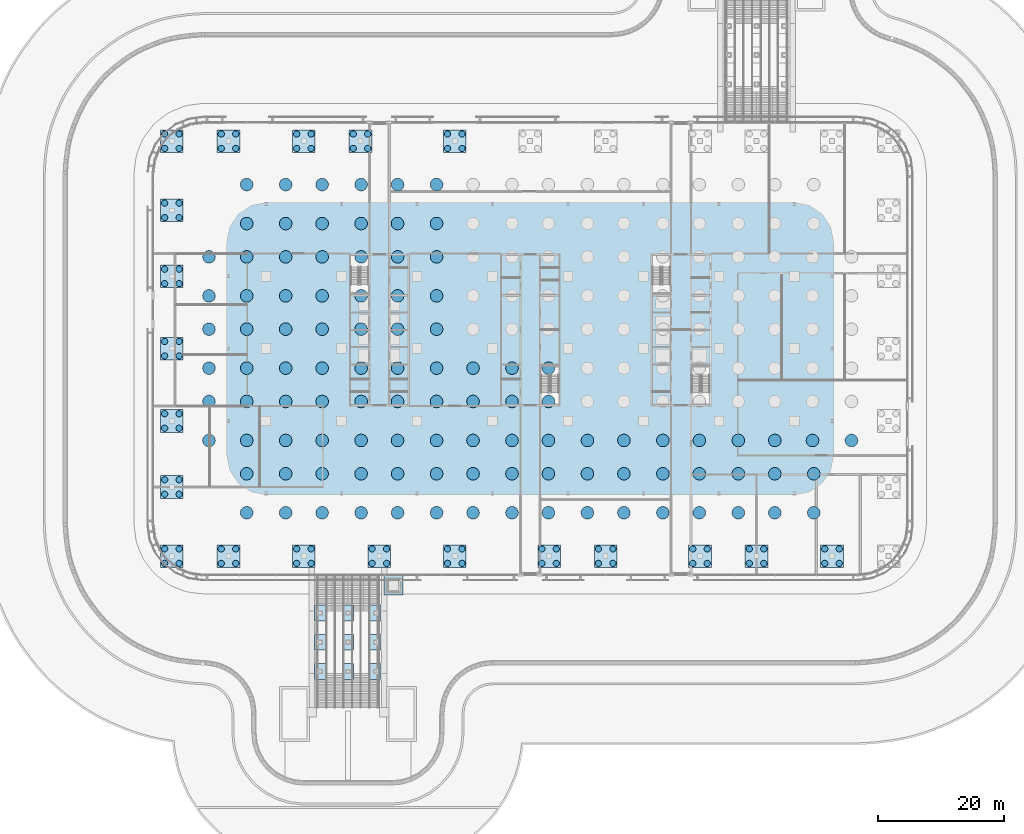
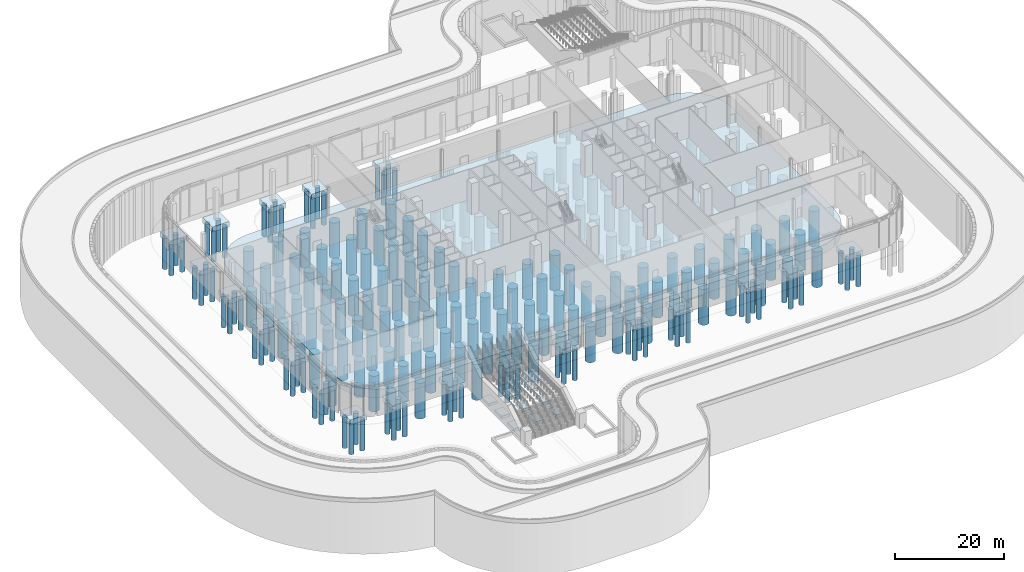
# One storey, part 1 of 48: 183 piles, 31 footings.
"""IFC4 building model written with IfcOpenShell, lengths in metres."""

from ifc_helpers import new_model, si_unit, direction, frame, origin, origin_2d, place, context, subcontext, project, spatial, polyline, rectangle, circle, outline, extrude, material, layer, layer_set, material_profile, profile_set, type_object, element, save


model = new_model("IFC4")

# Units and contexts
model_context = context("Model", 3, precision=1e-05, world=origin(), true_north=direction((0.0, 1.0)))
body_context = subcontext(model_context, "Body", "Model", "MODEL_VIEW")
ifc_project = project(units=[si_unit("LENGTHUNIT", "METRE"), si_unit("AREAUNIT", "SQUARE_METRE"), si_unit("VOLUMEUNIT", "CUBIC_METRE"), si_unit("PLANEANGLEUNIT", "RADIAN"), si_unit("MASSUNIT", "GRAM", prefix="KILO")], contexts=[model_context])

# Site, building, storey
site_placement = place(None, origin())
site = spatial("IfcSite", under=ifc_project, at=site_placement, CompositionType="ELEMENT")
building_placement = place(site_placement, origin())
building = spatial("IfcBuilding", under=site, at=building_placement, Name="Mahtab Terrace Research Tower", CompositionType="ELEMENT")
storey_placement = place(building_placement, origin())
storey = spatial("IfcBuildingStorey", under=building, at=storey_placement, Name="G", CompositionType="ELEMENT", Elevation=0.0)

# Piles
ifc_material = material(Name="Concrete C40/50", Category="concrete")
ifc_material_profile_1 = material_profile(ifc_material, circle(Radius=0.5, at=origin_2d()), Name="Bored pile D1000")
ifc_profile_set_1 = profile_set([ifc_material_profile_1], Name="Concrete C40/50")
pile_type_1 = type_object("IfcPileType", Name="Bored pile D1000", PredefinedType="BORED", material=ifc_profile_set_1)
for number, where, z_axis, x_axis, name in (
    (1, (-58.14990234375, -34.14990234375, -1.25), (0.0, 0.0, -1.0), (1.0, 0.0, 0.0), "Bored pile PC-01-1"),
    (2, (-58.14990234375, -31.85009765625, -1.25), (0.0, 0.0, -1.0), (1.0, 0.0, 0.0), "Bored pile PC-01-2"),
    (3, (-55.85009765625, -34.14990234375, -1.25), (0.0, 0.0, -1.0), (1.0, 0.0, 0.0), "Bored pile PC-01-3"),
    (4, (-55.85009765625, -31.85009765625, -1.25), (0.0, 0.0, -1.0), (1.0, 0.0, 0.0), "Bored pile PC-01-4"),
    (5, (-49.14990234375, -34.14990234375, -1.25), (0.0, 0.0, -1.0), (1.0, 0.0, 0.0), "Bored pile PC-02-1"),
    (6, (-49.14990234375, -31.85009765625, -1.25), (0.0, 0.0, -1.0), (1.0, 0.0, 0.0), "Bored pile PC-02-2"),
    (7, (-46.85009765625, -34.14990234375, -1.25), (0.0, 0.0, -1.0), (1.0, 0.0, 0.0), "Bored pile PC-02-3"),
    (8, (-46.85009765625, -31.85009765625, -1.25), (0.0, 0.0, -1.0), (1.0, 0.0, 0.0), "Bored pile PC-02-4"),
    (9, (-37.14990234375, -34.14990234375, -1.25), (0.0, 0.0, -1.0), (1.0, 0.0, 0.0), "Bored pile PC-03-1"),
    (10, (-37.14990234375, -31.85009765625, -1.25), (0.0, 0.0, -1.0), (1.0, 0.0, 0.0), "Bored pile PC-03-2"),
    (11, (-34.85009765625, -34.14990234375, -1.25), (0.0, 0.0, -1.0), (1.0, 0.0, 0.0), "Bored pile PC-03-3"),
    (12, (-34.85009765625, -31.85009765625, -1.25), (0.0, 0.0, -1.0), (1.0, 0.0, 0.0), "Bored pile PC-03-4"),
    (13, (-25.14990234375, -34.14990234375, -1.25), (0.0, 0.0, -1.0), (1.0, 0.0, 0.0), "Bored pile PC-04-1"),
    (14, (-25.14990234375, -31.85009765625, -1.25), (0.0, 0.0, -1.0), (1.0, 0.0, 0.0), "Bored pile PC-04-2"),
    (15, (-22.85009765625, -34.14990234375, -1.25), (0.0, 0.0, -1.0), (1.0, 0.0, 0.0), "Bored pile PC-04-3"),
    (16, (-22.85009765625, -31.85009765625, -1.25), (0.0, 0.0, -1.0), (1.0, 0.0, 0.0), "Bored pile PC-04-4"),
    (17, (-13.14990234375, -34.14990234375, -1.25), (0.0, 0.0, -1.0), (1.0, 0.0, 0.0), "Bored pile PC-05-1"),
    (18, (-13.14990234375, -31.85009765625, -1.25), (0.0, 0.0, -1.0), (1.0, 0.0, 0.0), "Bored pile PC-05-2"),
    (19, (-10.85009765625, -34.14990234375, -1.25), (0.0, 0.0, -1.0), (1.0, 0.0, 0.0), "Bored pile PC-05-3"),
    (20, (-10.85009765625, -31.85009765625, -1.25), (0.0, 0.0, -1.0), (1.0, 0.0, 0.0), "Bored pile PC-05-4"),
    (21, (1.85009765625, -34.14990234375, -1.25), (0.0, 0.0, -1.0), (1.0, 0.0, 0.0), "Bored pile PC-06-1"),
    (22, (1.85009765625, -31.85009765625, -1.25), (0.0, 0.0, -1.0), (1.0, 0.0, 0.0), "Bored pile PC-06-2"),
    (23, (4.14990234375, -34.14990234375, -1.25), (0.0, 0.0, -1.0), (1.0, 0.0, 0.0), "Bored pile PC-06-3"),
    (24, (4.14990234375, -31.85009765625, -1.25), (0.0, 0.0, -1.0), (1.0, 0.0, 0.0), "Bored pile PC-06-4"),
    (25, (10.85009765625, -34.14990234375, -1.25), (0.0, 0.0, -1.0), (1.0, 0.0, 0.0), "Bored pile PC-07-1"),
    (26, (10.85009765625, -31.85009765625, -1.25), (0.0, 0.0, -1.0), (1.0, 0.0, 0.0), "Bored pile PC-07-2"),
    (27, (13.14990234375, -34.14990234375, -1.25), (0.0, 0.0, -1.0), (1.0, 0.0, 0.0), "Bored pile PC-07-3"),
    (28, (13.14990234375, -31.85009765625, -1.25), (0.0, 0.0, -1.0), (1.0, 0.0, 0.0), "Bored pile PC-07-4"),
    (29, (25.85009765625, -34.14990234375, -1.25), (0.0, 0.0, -1.0), (1.0, 0.0, 0.0), "Bored pile PC-08-1"),
    (30, (25.85009765625, -31.85009765625, -1.25), (0.0, 0.0, -1.0), (1.0, 0.0, 0.0), "Bored pile PC-08-2"),
    (31, (28.14990234375, -34.14990234375, -1.25), (0.0, 0.0, -1.0), (1.0, 0.0, 0.0), "Bored pile PC-08-3"),
    (32, (28.14990234375, -31.85009765625, -1.25), (0.0, 0.0, -1.0), (1.0, 0.0, 0.0), "Bored pile PC-08-4"),
    (33, (34.85009765625, -34.14990234375, -1.25), (0.0, 0.0, -1.0), (1.0, 0.0, 0.0), "Bored pile PC-09-1"),
    (34, (34.85009765625, -31.85009765625, -1.25), (0.0, 0.0, -1.0), (1.0, 0.0, 0.0), "Bored pile PC-09-2"),
    (35, (37.14990234375, -34.14990234375, -1.25), (0.0, 0.0, -1.0), (1.0, 0.0, 0.0), "Bored pile PC-09-3"),
    (36, (37.14990234375, -31.85009765625, -1.25), (0.0, 0.0, -1.0), (1.0, 0.0, 0.0), "Bored pile PC-09-4"),
    (37, (46.85009765625, -34.14990234375, -1.25), (0.0, 0.0, -1.0), (1.0, 0.0, 0.0), "Bored pile PC-10-1"),
    (38, (46.85009765625, -31.85009765625, -1.25), (0.0, 0.0, -1.0), (1.0, 0.0, 0.0), "Bored pile PC-10-2"),
    (39, (49.14990234375, -34.14990234375, -1.25), (0.0, 0.0, -1.0), (1.0, 0.0, 0.0), "Bored pile PC-10-3"),
    (40, (49.14990234375, -31.85009765625, -1.25), (0.0, 0.0, -1.0), (1.0, 0.0, 0.0), "Bored pile PC-10-4"),
    (41, (-58.14990234375, 31.85009765625, -1.25), (0.0, 0.0, -1.0), (1.0, 0.0, 0.0), "Bored pile PC-12-1"),
    (42, (-58.14990234375, 34.14990234375, -1.25), (0.0, 0.0, -1.0), (1.0, 0.0, 0.0), "Bored pile PC-12-2"),
    (43, (-55.85009765625, 31.85009765625, -1.25), (0.0, 0.0, -1.0), (1.0, 0.0, 0.0), "Bored pile PC-12-3"),
    (44, (-55.85009765625, 34.14990234375, -1.25), (0.0, 0.0, -1.0), (1.0, 0.0, 0.0), "Bored pile PC-12-4"),
    (45, (-49.14990234375, 31.85009765625, -1.25), (0.0, 0.0, -1.0), (1.0, 0.0, 0.0), "Bored pile PC-13-1"),
    (46, (-49.14990234375, 34.14990234375, -1.25), (0.0, 0.0, -1.0), (1.0, 0.0, 0.0), "Bored pile PC-13-2"),
    (47, (-46.85009765625, 31.85009765625, -1.25), (0.0, 0.0, -1.0), (1.0, 0.0, 0.0), "Bored pile PC-13-3"),
    (48, (-46.85009765625, 34.14990234375, -1.25), (0.0, 0.0, -1.0), (1.0, 0.0, 0.0), "Bored pile PC-13-4"),
    (49, (-37.14990234375, 31.85009765625, -1.25), (0.0, 0.0, -1.0), (1.0, 0.0, 0.0), "Bored pile PC-14-1"),
    (50, (-37.14990234375, 34.14990234375, -1.25), (0.0, 0.0, -1.0), (1.0, 0.0, 0.0), "Bored pile PC-14-2"),
    (51, (-34.85009765625, 31.85009765625, -1.25), (0.0, 0.0, -1.0), (1.0, 0.0, 0.0), "Bored pile PC-14-3"),
    (52, (-34.85009765625, 34.14990234375, -1.25), (0.0, 0.0, -1.0), (1.0, 0.0, 0.0), "Bored pile PC-14-4"),
    (53, (-28.14990234375, 31.85009765625, -1.25), (0.0, 0.0, -1.0), (1.0, 0.0, 0.0), "Bored pile PC-15-1"),
    (54, (-28.14990234375, 34.14990234375, -1.25), (0.0, 0.0, -1.0), (1.0, 0.0, 0.0), "Bored pile PC-15-2"),
    (55, (-25.85009765625, 31.85009765625, -1.25), (0.0, 0.0, -1.0), (1.0, 0.0, 0.0), "Bored pile PC-15-3"),
    (56, (-25.85009765625, 34.14990234375, -1.25), (0.0, 0.0, -1.0), (1.0, 0.0, 0.0), "Bored pile PC-15-4"),
    (57, (-13.14990234375, 31.85009765625, -1.25), (0.0, 0.0, -1.0), (1.0, 0.0, 0.0), "Bored pile PC-16-1"),
    (58, (-13.14990234375, 34.14990234375, -1.25), (0.0, 0.0, -1.0), (1.0, 0.0, 0.0), "Bored pile PC-16-2"),
    (59, (-10.85009765625, 31.85009765625, -1.25), (0.0, 0.0, -1.0), (1.0, 0.0, 0.0), "Bored pile PC-16-3"),
    (60, (-10.85009765625, 34.14990234375, -1.25), (0.0, 0.0, -1.0), (1.0, 0.0, 0.0), "Bored pile PC-16-4"),
    (61, (-58.14990234375, -23.14990234375, -1.25), (0.0, 0.0, -1.0), (1.0, 0.0, 0.0), "Bored pile PC-23-1"),
    (62, (-58.14990234375, -20.85009765625, -1.25), (0.0, 0.0, -1.0), (1.0, 0.0, 0.0), "Bored pile PC-23-2"),
    (63, (-55.85009765625, -23.14990234375, -1.25), (0.0, 0.0, -1.0), (1.0, 0.0, 0.0), "Bored pile PC-23-3"),
    (64, (-55.85009765625, -20.85009765625, -1.25), (0.0, 0.0, -1.0), (1.0, 0.0, 0.0), "Bored pile PC-23-4"),
    (65, (-58.14990234375, -12.64990234375, -1.25), (0.0, 0.0, -1.0), (1.0, 0.0, 0.0), "Bored pile PC-24-1"),
    (66, (-58.14990234375, -10.35009765625, -1.25), (0.0, 0.0, -1.0), (1.0, 0.0, 0.0), "Bored pile PC-24-2"),
    (67, (-55.85009765625, -12.64990234375, -1.25), (0.0, 0.0, -1.0), (1.0, 0.0, 0.0), "Bored pile PC-24-3"),
    (68, (-55.85009765625, -10.35009765625, -1.25), (0.0, 0.0, -1.0), (1.0, 0.0, 0.0), "Bored pile PC-24-4"),
    (69, (-58.14990234375, -1.14990234375, -1.25), (0.0, 0.0, -1.0), (1.0, 0.0, 0.0), "Bored pile PC-25-1"),
    (70, (-58.14990234375, 1.14990234375, -1.25), (0.0, 0.0, -1.0), (1.0, 0.0, 0.0), "Bored pile PC-25-2"),
    (71, (-55.85009765625, -1.14990234375, -1.25), (0.0, 0.0, -1.0), (1.0, 0.0, 0.0), "Bored pile PC-25-3"),
    (72, (-55.85009765625, 1.14990234375, -1.25), (0.0, 0.0, -1.0), (1.0, 0.0, 0.0), "Bored pile PC-25-4"),
    (73, (-58.14990234375, 10.35009765625, -1.25), (0.0, 0.0, -1.0), (1.0, 0.0, 0.0), "Bored pile PC-26-1"),
    (74, (-58.14990234375, 12.64990234375, -1.25), (0.0, 0.0, -1.0), (1.0, 0.0, 0.0), "Bored pile PC-26-2"),
    (75, (-55.85009765625, 10.35009765625, -1.25), (0.0, 0.0, -1.0), (1.0, 0.0, 0.0), "Bored pile PC-26-3"),
    (76, (-55.85009765625, 12.64990234375, -1.25), (0.0, 0.0, -1.0), (1.0, 0.0, 0.0), "Bored pile PC-26-4"),
    (77, (-58.14990234375, 20.85009765625, -1.25), (0.0, 0.0, -1.0), (1.0, 0.0, 0.0), "Bored pile PC-27-1"),
    (78, (-58.14990234375, 23.14990234375, -1.25), (0.0, 0.0, -1.0), (1.0, 0.0, 0.0), "Bored pile PC-27-2"),
    (79, (-55.85009765625, 20.85009765625, -1.25), (0.0, 0.0, -1.0), (1.0, 0.0, 0.0), "Bored pile PC-27-3"),
    (80, (-55.85009765625, 23.14990234375, -1.25), (0.0, 0.0, -1.0), (1.0, 0.0, 0.0), "Bored pile PC-27-4"),
):
    element("IfcPile", number, at=place(storey_placement, frame(where, z_axis=z_axis, x_axis=x_axis)), inside=storey, type_object=pile_type_1, Name=name, PredefinedType="BORED", context=body_context, shape_type="SweptSolid", body=[
        extrude(circle(Radius=0.5, at=origin_2d()), origin(), (0.0, 0.0, 1.0), 7.0),
    ])
ifc_material_profile_2 = material_profile(ifc_material, circle(Radius=1.0, at=origin_2d()), Name="Bored pile D2000")
ifc_profile_set_2 = profile_set([ifc_material_profile_2], Name="Concrete C40/50")
pile_type_2 = type_object("IfcPileType", Name="Bored pile D2000", PredefinedType="BORED", material=ifc_profile_set_2)
for number, where, z_axis, x_axis, name in (
    (81, (-51.10009765625, -14.60009765625, -3.550048828125), (0.0, 0.0, -1.0), (1.0, 0.0, 0.0), "Bored pile 001"),
    (82, (-51.10009765625, -8.39990234375, -3.550048828125), (0.0, 0.0, -1.0), (1.0, 0.0, 0.0), "Bored pile 002"),
    (83, (-51.10009765625, -3.10009765625, -3.550048828125), (0.0, 0.0, -1.0), (1.0, 0.0, 0.0), "Bored pile 003"),
    (84, (-51.10009765625, 3.10009765625, -3.550048828125), (0.0, 0.0, -1.0), (1.0, 0.0, 0.0), "Bored pile 004"),
    (85, (-51.10009765625, 8.39990234375, -3.550048828125), (0.0, 0.0, -1.0), (1.0, 0.0, 0.0), "Bored pile 005"),
    (86, (-51.10009765625, 14.60009765625, -3.550048828125), (0.0, 0.0, -1.0), (1.0, 0.0, 0.0), "Bored pile 006"),
    (87, (-45.10009765625, -26.10009765625, -3.550048828125), (0.0, 0.0, -1.0), (1.0, 0.0, 0.0), "Bored pile 007"),
    (88, (-45.10009765625, -19.89990234375, -3.550048828125), (0.0, 0.0, -1.0), (1.0, 0.0, 0.0), "Bored pile 008"),
    (89, (-45.10009765625, -14.60009765625, -3.550048828125), (0.0, 0.0, -1.0), (1.0, 0.0, 0.0), "Bored pile 009"),
    (90, (-45.10009765625, -8.39990234375, -3.550048828125), (0.0, 0.0, -1.0), (1.0, 0.0, 0.0), "Bored pile 010"),
    (91, (-45.10009765625, -3.10009765625, -3.550048828125), (0.0, 0.0, -1.0), (1.0, 0.0, 0.0), "Bored pile 011"),
    (92, (-45.10009765625, 3.10009765625, -3.550048828125), (0.0, 0.0, -1.0), (1.0, 0.0, 0.0), "Bored pile 012"),
    (93, (-45.10009765625, 8.39990234375, -3.550048828125), (0.0, 0.0, -1.0), (1.0, 0.0, 0.0), "Bored pile 013"),
    (94, (-45.10009765625, 14.60009765625, -3.550048828125), (0.0, 0.0, -1.0), (1.0, 0.0, 0.0), "Bored pile 014"),
    (95, (-45.10009765625, 19.89990234375, -3.550048828125), (0.0, 0.0, -1.0), (1.0, 0.0, 0.0), "Bored pile 015"),
    (96, (-45.10009765625, 26.10009765625, -3.550048828125), (0.0, 0.0, -1.0), (1.0, 0.0, 0.0), "Bored pile 016"),
    (97, (-38.89990234375, -26.10009765625, -3.550048828125), (0.0, 0.0, -1.0), (1.0, 0.0, 0.0), "Bored pile 017"),
    (98, (-38.89990234375, -19.89990234375, -3.550048828125), (0.0, 0.0, -1.0), (1.0, 0.0, 0.0), "Bored pile 018"),
    (99, (-38.89990234375, -14.60009765625, -3.550048828125), (0.0, 0.0, -1.0), (1.0, 0.0, 0.0), "Bored pile 019"),
    (100, (-38.89990234375, -8.39990234375, -3.550048828125), (0.0, 0.0, -1.0), (1.0, 0.0, 0.0), "Bored pile 020"),
    (101, (-38.89990234375, -3.10009765625, -3.550048828125), (0.0, 0.0, -1.0), (1.0, 0.0, 0.0), "Bored pile 021"),
    (102, (-38.89990234375, 3.10009765625, -3.550048828125), (0.0, 0.0, -1.0), (1.0, 0.0, 0.0), "Bored pile 022"),
    (103, (-38.89990234375, 8.39990234375, -3.550048828125), (0.0, 0.0, -1.0), (1.0, 0.0, 0.0), "Bored pile 023"),
    (104, (-38.89990234375, 14.60009765625, -3.550048828125), (0.0, 0.0, -1.0), (1.0, 0.0, 0.0), "Bored pile 024"),
    (105, (-38.89990234375, 19.89990234375, -3.550048828125), (0.0, 0.0, -1.0), (1.0, 0.0, 0.0), "Bored pile 025"),
    (106, (-38.89990234375, 26.10009765625, -3.550048828125), (0.0, 0.0, -1.0), (1.0, 0.0, 0.0), "Bored pile 026"),
    (107, (-33.10009765625, -26.10009765625, -3.550048828125), (0.0, 0.0, -1.0), (1.0, 0.0, 0.0), "Bored pile 027"),
    (108, (-33.10009765625, -19.89990234375, -3.550048828125), (0.0, 0.0, -1.0), (1.0, 0.0, 0.0), "Bored pile 028"),
    (109, (-33.10009765625, -14.60009765625, -3.550048828125), (0.0, 0.0, -1.0), (1.0, 0.0, 0.0), "Bored pile 029"),
    (110, (-33.10009765625, -8.39990234375, -3.550048828125), (0.0, 0.0, -1.0), (1.0, 0.0, 0.0), "Bored pile 030"),
    (111, (-33.10009765625, -3.10009765625, -3.550048828125), (0.0, 0.0, -1.0), (1.0, 0.0, 0.0), "Bored pile 031"),
    (112, (-33.10009765625, 3.10009765625, -3.550048828125), (0.0, 0.0, -1.0), (1.0, 0.0, 0.0), "Bored pile 032"),
    (113, (-33.10009765625, 8.39990234375, -3.550048828125), (0.0, 0.0, -1.0), (1.0, 0.0, 0.0), "Bored pile 033"),
    (114, (-33.10009765625, 14.60009765625, -3.550048828125), (0.0, 0.0, -1.0), (1.0, 0.0, 0.0), "Bored pile 034"),
    (115, (-33.10009765625, 19.89990234375, -3.550048828125), (0.0, 0.0, -1.0), (1.0, 0.0, 0.0), "Bored pile 035"),
    (116, (-33.10009765625, 26.10009765625, -3.550048828125), (0.0, 0.0, -1.0), (1.0, 0.0, 0.0), "Bored pile 036"),
    (117, (-26.89990234375, -26.10009765625, -3.550048828125), (0.0, 0.0, -1.0), (1.0, 0.0, 0.0), "Bored pile 037"),
    (118, (-26.89990234375, -19.89990234375, -3.550048828125), (0.0, 0.0, -1.0), (1.0, 0.0, 0.0), "Bored pile 038"),
    (119, (-26.89990234375, -14.60009765625, -3.550048828125), (0.0, 0.0, -1.0), (1.0, 0.0, 0.0), "Bored pile 039"),
    (120, (-26.89990234375, -8.39990234375, -3.550048828125), (0.0, 0.0, -1.0), (1.0, 0.0, 0.0), "Bored pile 040"),
    (121, (-26.89990234375, -3.10009765625, -3.550048828125), (0.0, 0.0, -1.0), (1.0, 0.0, 0.0), "Bored pile 041"),
    (122, (-26.89990234375, 3.10009765625, -3.550048828125), (0.0, 0.0, -1.0), (1.0, 0.0, 0.0), "Bored pile 042"),
    (123, (-26.89990234375, 8.39990234375, -3.550048828125), (0.0, 0.0, -1.0), (1.0, 0.0, 0.0), "Bored pile 043"),
    (124, (-26.89990234375, 14.60009765625, -3.550048828125), (0.0, 0.0, -1.0), (1.0, 0.0, 0.0), "Bored pile 044"),
    (125, (-26.89990234375, 19.89990234375, -3.550048828125), (0.0, 0.0, -1.0), (1.0, 0.0, 0.0), "Bored pile 045"),
    (126, (-26.89990234375, 26.10009765625, -3.550048828125), (0.0, 0.0, -1.0), (1.0, 0.0, 0.0), "Bored pile 046"),
    (127, (-21.10009765625, -26.10009765625, -3.550048828125), (0.0, 0.0, -1.0), (1.0, 0.0, 0.0), "Bored pile 047"),
    (128, (-21.10009765625, -19.89990234375, -3.550048828125), (0.0, 0.0, -1.0), (1.0, 0.0, 0.0), "Bored pile 048"),
    (129, (-21.10009765625, -14.60009765625, -3.550048828125), (0.0, 0.0, -1.0), (1.0, 0.0, 0.0), "Bored pile 049"),
    (130, (-21.10009765625, -8.39990234375, -3.550048828125), (0.0, 0.0, -1.0), (1.0, 0.0, 0.0), "Bored pile 050"),
    (131, (-21.10009765625, -3.10009765625, -3.550048828125), (0.0, 0.0, -1.0), (1.0, 0.0, 0.0), "Bored pile 051"),
    (132, (-21.10009765625, 3.10009765625, -3.550048828125), (0.0, 0.0, -1.0), (1.0, 0.0, 0.0), "Bored pile 052"),
    (133, (-21.10009765625, 8.39990234375, -3.550048828125), (0.0, 0.0, -1.0), (1.0, 0.0, 0.0), "Bored pile 053"),
    (134, (-21.10009765625, 14.60009765625, -3.550048828125), (0.0, 0.0, -1.0), (1.0, 0.0, 0.0), "Bored pile 054"),
    (135, (-21.10009765625, 19.89990234375, -3.550048828125), (0.0, 0.0, -1.0), (1.0, 0.0, 0.0), "Bored pile 055"),
    (136, (-21.10009765625, 26.10009765625, -3.550048828125), (0.0, 0.0, -1.0), (1.0, 0.0, 0.0), "Bored pile 056"),
    (137, (-14.89990234375, -26.10009765625, -3.550048828125), (0.0, 0.0, -1.0), (1.0, 0.0, 0.0), "Bored pile 057"),
    (138, (-14.89990234375, -19.89990234375, -3.550048828125), (0.0, 0.0, -1.0), (1.0, 0.0, 0.0), "Bored pile 058"),
    (139, (-14.89990234375, -14.60009765625, -3.550048828125), (0.0, 0.0, -1.0), (1.0, 0.0, 0.0), "Bored pile 059"),
    (140, (-14.89990234375, -8.39990234375, -3.550048828125), (0.0, 0.0, -1.0), (1.0, 0.0, 0.0), "Bored pile 060"),
    (141, (-14.89990234375, -3.10009765625, -3.550048828125), (0.0, 0.0, -1.0), (1.0, 0.0, 0.0), "Bored pile 061"),
    (142, (-14.89990234375, 3.10009765625, -3.550048828125), (0.0, 0.0, -1.0), (1.0, 0.0, 0.0), "Bored pile 062"),
    (143, (-14.89990234375, 8.39990234375, -3.550048828125), (0.0, 0.0, -1.0), (1.0, 0.0, 0.0), "Bored pile 063"),
    (144, (-14.89990234375, 14.60009765625, -3.550048828125), (0.0, 0.0, -1.0), (1.0, 0.0, 0.0), "Bored pile 064"),
    (145, (-14.89990234375, 19.89990234375, -3.550048828125), (0.0, 0.0, -1.0), (1.0, 0.0, 0.0), "Bored pile 065"),
    (146, (-14.89990234375, 26.10009765625, -3.550048828125), (0.0, 0.0, -1.0), (1.0, 0.0, 0.0), "Bored pile 066"),
    (147, (-9.10009765625, -26.10009765625, -3.550048828125), (0.0, 0.0, -1.0), (1.0, 0.0, 0.0), "Bored pile 067"),
    (148, (-9.10009765625, -19.89990234375, -3.550048828125), (0.0, 0.0, -1.0), (1.0, 0.0, 0.0), "Bored pile 068"),
    (149, (-9.10009765625, -14.60009765625, -3.550048828125), (0.0, 0.0, -1.0), (1.0, 0.0, 0.0), "Bored pile 069"),
    (150, (-9.10009765625, -8.39990234375, -3.550048828125), (0.0, 0.0, -1.0), (1.0, 0.0, 0.0), "Bored pile 070"),
    (151, (-9.10009765625, -3.10009765625, -3.550048828125), (0.0, 0.0, -1.0), (1.0, 0.0, 0.0), "Bored pile 071"),
    (152, (-2.89990234375, -26.10009765625, -3.550048828125), (0.0, 0.0, -1.0), (1.0, 0.0, 0.0), "Bored pile 077"),
    (153, (-2.89990234375, -19.89990234375, -3.550048828125), (0.0, 0.0, -1.0), (1.0, 0.0, 0.0), "Bored pile 078"),
    (154, (-2.89990234375, -14.60009765625, -3.550048828125), (0.0, 0.0, -1.0), (1.0, 0.0, 0.0), "Bored pile 079"),
    (155, (-2.89990234375, -8.39990234375, -3.550048828125), (0.0, 0.0, -1.0), (1.0, 0.0, 0.0), "Bored pile 080"),
    (156, (-2.89990234375, -3.10009765625, -3.550048828125), (0.0, 0.0, -1.0), (1.0, 0.0, 0.0), "Bored pile 081"),
    (157, (2.89990234375, -26.10009765625, -3.550048828125), (0.0, 0.0, -1.0), (1.0, 0.0, 0.0), "Bored pile 087"),
    (158, (2.89990234375, -19.89990234375, -3.550048828125), (0.0, 0.0, -1.0), (1.0, 0.0, 0.0), "Bored pile 088"),
    (159, (2.89990234375, -14.60009765625, -3.550048828125), (0.0, 0.0, -1.0), (1.0, 0.0, 0.0), "Bored pile 089"),
    (160, (2.89990234375, -8.39990234375, -3.550048828125), (0.0, 0.0, -1.0), (1.0, 0.0, 0.0), "Bored pile 090"),
    (161, (2.89990234375, -3.10009765625, -3.550048828125), (0.0, 0.0, -1.0), (1.0, 0.0, 0.0), "Bored pile 091"),
    (162, (9.10009765625, -26.10009765625, -3.550048828125), (0.0, 0.0, -1.0), (1.0, 0.0, 0.0), "Bored pile 097"),
    (163, (9.10009765625, -19.89990234375, -3.550048828125), (0.0, 0.0, -1.0), (1.0, 0.0, 0.0), "Bored pile 098"),
    (164, (9.10009765625, -14.60009765625, -3.550048828125), (0.0, 0.0, -1.0), (1.0, 0.0, 0.0), "Bored pile 099"),
    (165, (14.89990234375, -26.10009765625, -3.550048828125), (0.0, 0.0, -1.0), (1.0, 0.0, 0.0), "Bored pile 107"),
    (166, (14.89990234375, -19.89990234375, -3.550048828125), (0.0, 0.0, -1.0), (1.0, 0.0, 0.0), "Bored pile 108"),
    (167, (14.89990234375, -14.60009765625, -3.550048828125), (0.0, 0.0, -1.0), (1.0, 0.0, 0.0), "Bored pile 109"),
    (168, (21.10009765625, -26.10009765625, -3.550048828125), (0.0, 0.0, -1.0), (1.0, 0.0, 0.0), "Bored pile 117"),
    (169, (21.10009765625, -19.89990234375, -3.550048828125), (0.0, 0.0, -1.0), (1.0, 0.0, 0.0), "Bored pile 118"),
    (170, (21.10009765625, -14.60009765625, -3.550048828125), (0.0, 0.0, -1.0), (1.0, 0.0, 0.0), "Bored pile 119"),
    (171, (26.89990234375, -26.10009765625, -3.550048828125), (0.0, 0.0, -1.0), (1.0, 0.0, 0.0), "Bored pile 127"),
    (172, (26.89990234375, -19.89990234375, -3.550048828125), (0.0, 0.0, -1.0), (1.0, 0.0, 0.0), "Bored pile 128"),
    (173, (26.89990234375, -14.60009765625, -3.550048828125), (0.0, 0.0, -1.0), (1.0, 0.0, 0.0), "Bored pile 129"),
    (174, (33.10009765625, -26.10009765625, -3.550048828125), (0.0, 0.0, -1.0), (1.0, 0.0, 0.0), "Bored pile 137"),
    (175, (33.10009765625, -19.89990234375, -3.550048828125), (0.0, 0.0, -1.0), (1.0, 0.0, 0.0), "Bored pile 138"),
    (176, (33.10009765625, -14.60009765625, -3.550048828125), (0.0, 0.0, -1.0), (1.0, 0.0, 0.0), "Bored pile 139"),
    (177, (38.89990234375, -26.10009765625, -3.550048828125), (0.0, 0.0, -1.0), (1.0, 0.0, 0.0), "Bored pile 147"),
    (178, (38.89990234375, -19.89990234375, -3.550048828125), (0.0, 0.0, -1.0), (1.0, 0.0, 0.0), "Bored pile 148"),
    (179, (38.89990234375, -14.60009765625, -3.550048828125), (0.0, 0.0, -1.0), (1.0, 0.0, 0.0), "Bored pile 149"),
    (180, (44.89990234375, -14.60009765625, -3.550048828125), (0.0, 0.0, -1.0), (1.0, 0.0, 0.0), "Bored pile 157"),
    (181, (45.10009765625, -26.10009765625, -3.550048828125), (0.0, 0.0, -1.0), (1.0, 0.0, 0.0), "Bored pile 163"),
    (182, (45.10009765625, -19.89990234375, -3.550048828125), (0.0, 0.0, -1.0), (1.0, 0.0, 0.0), "Bored pile 164"),
    (183, (51.10009765625, -14.60009765625, -3.550048828125), (0.0, 0.0, -1.0), (1.0, 0.0, 0.0), "Bored pile 167"),
):
    element("IfcPile", number, at=place(storey_placement, frame(where, z_axis=z_axis, x_axis=x_axis)), inside=storey, type_object=pile_type_2, Name=name, PredefinedType="BORED", context=body_context, shape_type="SweptSolid", body=[
        extrude(circle(Radius=1.0, at=origin_2d()), origin(), (0.0, 0.0, 1.0), 8.0),
    ])

# Footings
ifc_layer_1 = layer(ifc_material, 0.60009765625)
ifc_layer_set_1 = layer_set([ifc_layer_1], Name="Pad footing 1800x2500x600")
footing_type_1 = type_object("IfcFootingType", Name="Pad footing 1800x2500x600", PredefinedType="PAD_FOOTING", material=ifc_layer_set_1)
footing_1_placement = place(storey_placement, frame((0.0, 0.0, -0.60009765625)))
element("IfcFooting", 184, at=footing_1_placement, inside=storey, type_object=footing_type_1, Name="Stair pad footing PS1-1-1", PredefinedType="PAD_FOOTING", context=body_context, shape_type="SweptSolid", body=[
    extrude(outline(polyline([(-34.300048828125, -52.60009765625), (-32.5, -52.60009765625), (-32.5, -50.10009765625), (-34.300048828125, -50.10009765625), (-34.300048828125, -52.60009765625)])), origin(), (0.0, 0.0, 1.0), 0.60009765625),
])
footing_2_placement = place(storey_placement, frame((0.0, 0.0, -0.60009765625)))
element("IfcFooting", 185, at=footing_2_placement, inside=storey, type_object=footing_type_1, Name="Stair pad footing PS1-1-2", PredefinedType="PAD_FOOTING", context=body_context, shape_type="SweptSolid", body=[
    extrude(outline(polyline([(-34.300048828125, -47.949951171875), (-32.5, -47.949951171875), (-32.5, -45.449951171875), (-34.300048828125, -45.449951171875), (-34.300048828125, -47.949951171875)])), origin(), (0.0, 0.0, 1.0), 0.60009765625),
])
footing_3_placement = place(storey_placement, frame((0.0, 0.0, -0.60009765625)))
element("IfcFooting", 186, at=footing_3_placement, inside=storey, type_object=footing_type_1, Name="Stair pad footing PS1-1-3", PredefinedType="PAD_FOOTING", context=body_context, shape_type="SweptSolid", body=[
    extrude(outline(polyline([(-34.300048828125, -43.300048828125), (-32.5, -43.300048828125), (-32.5, -40.800048828125), (-34.300048828125, -40.800048828125), (-34.300048828125, -43.300048828125)])), origin(), (0.0, 0.0, 1.0), 0.60009765625),
])
footing_4_placement = place(storey_placement, frame((0.0, 0.0, -0.60009765625)))
element("IfcFooting", 187, at=footing_4_placement, inside=storey, type_object=footing_type_1, Name="Stair pad footing PS1-2-1", PredefinedType="PAD_FOOTING", context=body_context, shape_type="SweptSolid", body=[
    extrude(outline(polyline([(-29.89990234375, -52.60009765625), (-28.10009765625, -52.60009765625), (-28.10009765625, -50.10009765625), (-29.89990234375, -50.10009765625), (-29.89990234375, -52.60009765625)])), origin(), (0.0, 0.0, 1.0), 0.60009765625),
])
footing_5_placement = place(storey_placement, frame((0.0, 0.0, -0.60009765625)))
element("IfcFooting", 188, at=footing_5_placement, inside=storey, type_object=footing_type_1, Name="Stair pad footing PS1-2-2", PredefinedType="PAD_FOOTING", context=body_context, shape_type="SweptSolid", body=[
    extrude(outline(polyline([(-29.89990234375, -47.949951171875), (-28.10009765625, -47.949951171875), (-28.10009765625, -45.449951171875), (-29.89990234375, -45.449951171875), (-29.89990234375, -47.949951171875)])), origin(), (0.0, 0.0, 1.0), 0.60009765625),
])
footing_6_placement = place(storey_placement, frame((0.0, 0.0, -0.60009765625)))
element("IfcFooting", 189, at=footing_6_placement, inside=storey, type_object=footing_type_1, Name="Stair pad footing PS1-2-3", PredefinedType="PAD_FOOTING", context=body_context, shape_type="SweptSolid", body=[
    extrude(outline(polyline([(-29.89990234375, -43.300048828125), (-28.10009765625, -43.300048828125), (-28.10009765625, -40.800048828125), (-29.89990234375, -40.800048828125), (-29.89990234375, -43.300048828125)])), origin(), (0.0, 0.0, 1.0), 0.60009765625),
])
footing_7_placement = place(storey_placement, frame((0.0, 0.0, -0.60009765625)))
element("IfcFooting", 190, at=footing_7_placement, inside=storey, type_object=footing_type_1, Name="Stair pad footing PS1-3-1", PredefinedType="PAD_FOOTING", context=body_context, shape_type="SweptSolid", body=[
    extrude(outline(polyline([(-25.5, -52.60009765625), (-23.699951171875, -52.60009765625), (-23.699951171875, -50.10009765625), (-25.5, -50.10009765625), (-25.5, -52.60009765625)])), origin(), (0.0, 0.0, 1.0), 0.60009765625),
])
footing_8_placement = place(storey_placement, frame((0.0, 0.0, -0.60009765625)))
element("IfcFooting", 191, at=footing_8_placement, inside=storey, type_object=footing_type_1, Name="Stair pad footing PS1-3-2", PredefinedType="PAD_FOOTING", context=body_context, shape_type="SweptSolid", body=[
    extrude(outline(polyline([(-25.5, -47.949951171875), (-23.699951171875, -47.949951171875), (-23.699951171875, -45.449951171875), (-25.5, -45.449951171875), (-25.5, -47.949951171875)])), origin(), (0.0, 0.0, 1.0), 0.60009765625),
])
footing_9_placement = place(storey_placement, frame((0.0, 0.0, -0.60009765625)))
element("IfcFooting", 192, at=footing_9_placement, inside=storey, type_object=footing_type_1, Name="Stair pad footing PS1-3-3", PredefinedType="PAD_FOOTING", context=body_context, shape_type="SweptSolid", body=[
    extrude(outline(polyline([(-25.5, -43.300048828125), (-23.699951171875, -43.300048828125), (-23.699951171875, -40.800048828125), (-25.5, -40.800048828125), (-25.5, -43.300048828125)])), origin(), (0.0, 0.0, 1.0), 0.60009765625),
])
ifc_layer_2 = layer(ifc_material, 0.60009765625)
ifc_layer_set_2 = layer_set([ifc_layer_2], Name="Pad footing 3100x3100x600")
footing_type_2 = type_object("IfcFootingType", Name="Pad footing 3100x3100x600", PredefinedType="PAD_FOOTING", material=ifc_layer_set_2)
footing_10_placement = place(storey_placement, frame((0.0, 0.0, -2.300048828125)))
element("IfcFooting", 193, at=footing_10_placement, inside=storey, type_object=footing_type_2, Name="Public lift pit footing", PredefinedType="PAD_FOOTING", context=body_context, shape_type="SweptSolid", body=[
    extrude(outline(polyline([(-23.300048828125, -39.199951171875), (-20.199951171875, -39.199951171875), (-20.199951171875, -36.10009765625), (-23.300048828125, -36.10009765625), (-23.300048828125, -39.199951171875)])), origin(), (0.0, 0.0, 1.0), 0.60009765625),
])
ifc_layer_3 = layer(ifc_material, 1.199951171875)
ifc_layer_set_3 = layer_set([ifc_layer_3], Name="Pile cap 3600x3600x1200")
footing_type_3 = type_object("IfcFootingType", Name="Pile cap 3600x3600x1200", PredefinedType="PILE_CAP", material=ifc_layer_set_3)
for number, where, z_axis, x_axis, name in (
    (194, (-57.0, -33.0, -1.39990234375), (0.0, 0.0, 1.0), (1.0, 0.0, 0.0), "Pile cap PC-01"),
    (195, (-48.0, -33.0, -1.39990234375), (0.0, 0.0, 1.0), (1.0, 0.0, 0.0), "Pile cap PC-02"),
    (196, (-36.0, -33.0, -1.39990234375), (0.0, 0.0, 1.0), (1.0, 0.0, 0.0), "Pile cap PC-03"),
    (197, (-24.0, -33.0, -1.39990234375), (0.0, 0.0, 1.0), (1.0, 0.0, 0.0), "Pile cap PC-04"),
    (198, (-12.0, -33.0, -1.39990234375), (0.0, 0.0, 1.0), (1.0, 0.0, 0.0), "Pile cap PC-05"),
    (199, (3.0, -33.0, -1.39990234375), (0.0, 0.0, 1.0), (1.0, 0.0, 0.0), "Pile cap PC-06"),
    (200, (12.0, -33.0, -1.39990234375), (0.0, 0.0, 1.0), (1.0, 0.0, 0.0), "Pile cap PC-07"),
    (201, (27.0, -33.0, -1.39990234375), (0.0, 0.0, 1.0), (1.0, 0.0, 0.0), "Pile cap PC-08"),
    (202, (36.0, -33.0, -1.39990234375), (0.0, 0.0, 1.0), (1.0, 0.0, 0.0), "Pile cap PC-09"),
    (203, (48.0, -33.0, -1.39990234375), (0.0, 0.0, 1.0), (1.0, 0.0, 0.0), "Pile cap PC-10"),
    (204, (-57.0, 33.0, -1.39990234375), (0.0, 0.0, 1.0), (1.0, 0.0, 0.0), "Pile cap PC-12"),
    (205, (-48.0, 33.0, -1.39990234375), (0.0, 0.0, 1.0), (1.0, 0.0, 0.0), "Pile cap PC-13"),
    (206, (-36.0, 33.0, -1.39990234375), (0.0, 0.0, 1.0), (1.0, 0.0, 0.0), "Pile cap PC-14"),
    (207, (-27.0, 33.0, -1.39990234375), (0.0, 0.0, 1.0), (1.0, 0.0, 0.0), "Pile cap PC-15"),
    (208, (-12.0, 33.0, -1.39990234375), (0.0, 0.0, 1.0), (1.0, 0.0, 0.0), "Pile cap PC-16"),
    (209, (-57.0, -22.0, -1.39990234375), (0.0, 0.0, 1.0), (1.0, 0.0, 0.0), "Pile cap PC-23"),
    (210, (-57.0, -11.5, -1.39990234375), (0.0, 0.0, 1.0), (1.0, 0.0, 0.0), "Pile cap PC-24"),
    (211, (-57.0, 0.0, -1.39990234375), (0.0, 0.0, 1.0), (1.0, 0.0, 0.0), "Pile cap PC-25"),
    (212, (-57.0, 11.5, -1.39990234375), (0.0, 0.0, 1.0), (1.0, 0.0, 0.0), "Pile cap PC-26"),
    (213, (-57.0, 22.0, -1.39990234375), (0.0, 0.0, 1.0), (1.0, 0.0, 0.0), "Pile cap PC-27"),
):
    element("IfcFooting", number, at=place(storey_placement, frame(where, z_axis=z_axis, x_axis=x_axis)), inside=storey, type_object=footing_type_3, Name=name, PredefinedType="PILE_CAP", context=body_context, shape_type="SweptSolid", body=[
        extrude(rectangle(XDim=3.60009765625, YDim=3.60009765625, at=origin_2d()), origin(), (0.0, 0.0, 1.0), 1.199951171875),
    ])
ifc_layer_4 = layer(ifc_material, 3.5)
ifc_layer_set_4 = layer_set([ifc_layer_4], Name="Raft 3500")
footing_type_4 = type_object("IfcFootingType", Name="Raft 3500", PredefinedType="USERDEFINED", material=ifc_layer_set_4)
footing_11_placement = place(storey_placement, frame((0.0, 0.0, -3.699951171875)))
element("IfcFooting", 214, at=footing_11_placement, inside=storey, type_object=footing_type_4, Name="Raft lower layer", ObjectType="Raft foundation", PredefinedType="USERDEFINED", context=body_context, shape_type="SweptSolid", body=[
    extrude(outline(polyline([(52.693115234375, 21.3291015625), (51.7939453125, 23.5), (50.364013671875, 25.364013671875), (48.5, 26.7939453125), (46.3291015625, 27.693115234375), (44.0, 28.0), (-44.0, 28.0), (-46.3291015625, 27.693115234375), (-48.5, 26.7939453125), (-50.364013671875, 25.364013671875), (-51.7939453125, 23.5), (-52.693115234375, 21.3291015625), (-53.0, 19.0), (-53.0, -19.0), (-52.693115234375, -21.3291015625), (-51.7939453125, -23.5), (-50.364013671875, -25.364013671875), (-48.5, -26.7939453125), (-46.3291015625, -27.693115234375), (-44.0, -28.0), (44.0, -28.0), (46.3291015625, -27.693115234375), (48.5, -26.7939453125), (50.364013671875, -25.364013671875), (51.7939453125, -23.5), (52.693115234375, -21.3291015625), (53.0, -19.0), (53.0, 19.0), (52.693115234375, 21.3291015625)])), origin(), (0.0, 0.0, 1.0), 1.89990234375),
])

save(model, "model.ifc")
